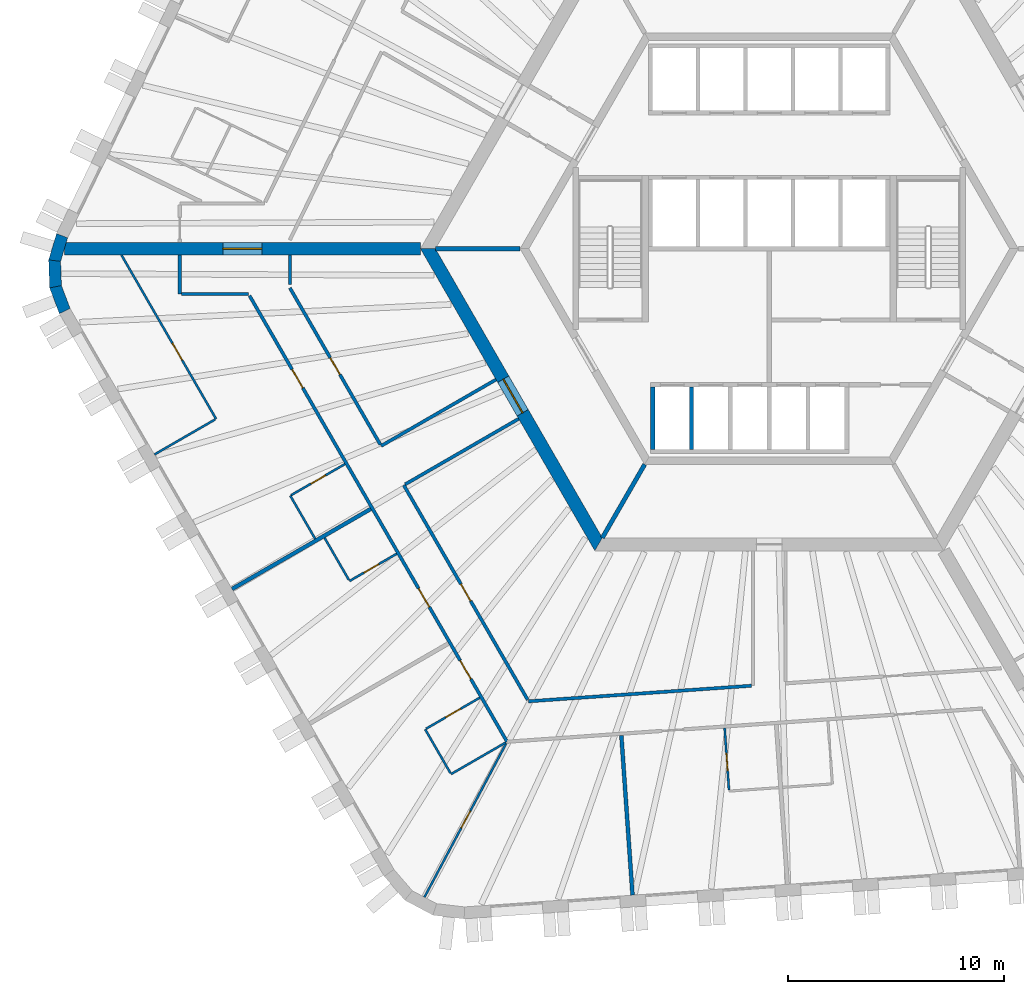
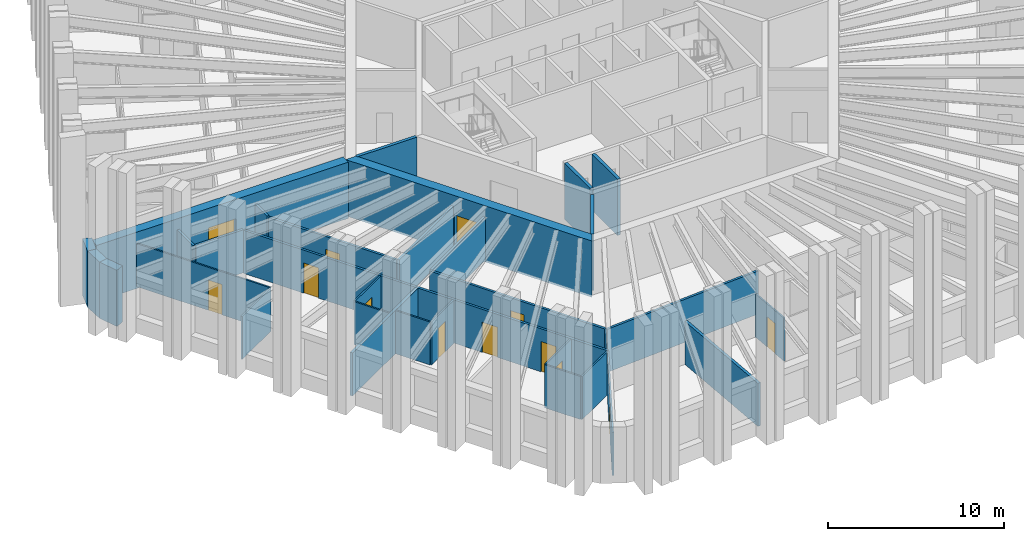
# One storey, part 3 of 13: 31 walls, 13 doors, 13 openings.
"""IFC4 building model written with IfcOpenShell, lengths in metres."""

from ifc_helpers import new_model, si_unit, direction, frame, frame_2d, origin, place, context, subcontext, project, spatial, polyline, rectangle, outline, extrude, material, layer, layer_set, type_object, element, fill, save


model = new_model("IFC4")

# Units and contexts
model_context = context("Model", 3, precision=1e-05, world=origin(), true_north=direction((0.0, 1.0)))
body_context = subcontext(model_context, "Body", "Model", "MODEL_VIEW")
ifc_project = project(units=[si_unit("LENGTHUNIT", "METRE"), si_unit("AREAUNIT", "SQUARE_METRE"), si_unit("VOLUMEUNIT", "CUBIC_METRE"), si_unit("PLANEANGLEUNIT", "RADIAN"), si_unit("MASSUNIT", "GRAM", prefix="KILO")], contexts=[model_context])

# Site, building, storey
site_placement = place(None, origin())
site = spatial("IfcSite", under=ifc_project, at=site_placement, CompositionType="ELEMENT")
building_placement = place(site_placement, origin())
building = spatial("IfcBuilding", under=site, at=building_placement, Name="Tarnside Tower", CompositionType="ELEMENT")
storey_placement = place(building_placement, frame((0.0, 0.0, 68.699951171875)))
storey = spatial("IfcBuildingStorey", under=building, at=storey_placement, Name="L14", CompositionType="ELEMENT", Elevation=68.699951171875)

# Wall
ifc_material_1 = material(Name="Gypsum board partition on steel studs", Category="steel")
ifc_layer_1 = layer(ifc_material_1, 0.10009765625)
ifc_layer_set_1 = layer_set([ifc_layer_1], Name="Bathroom wall 100")
wall_type_1 = type_object("IfcWallType", Name="Bathroom wall 100", PredefinedType="PARTITIONING", material=ifc_layer_set_1)
wall_1_placement = place(storey_placement, frame((-21.046875, -13.44580078125, 0.0), z_axis=(0.0, 0.0, 1.0), x_axis=(-0.500015210774, 0.866016621662, 0.0)))
element("IfcWall", 1, at=wall_1_placement, inside=storey, type_object=wall_type_1, Name="Bathroom wall 04105", PredefinedType="PARTITIONING", context=body_context, shape_type="SweptSolid", body=[
    extrude(rectangle(XDim=2.31005859375, YDim=0.10009765625, at=frame_2d((1.155029296875, 0.0))), origin(), (0.0, 0.0, 1.0), 2.98779296875),
])

# Wall, opening, door
wall_2_placement = place(storey_placement, frame((-22.158447265625, -11.42041015625, 0.0), z_axis=(0.0, 0.0, 1.0), x_axis=(0.866018712932, 0.500011588718, 0.0)))
wall_2 = element("IfcWall", 2, at=wall_2_placement, inside=storey, type_object=wall_type_1, Name="Bathroom wall 04106", PredefinedType="PARTITIONING", context=body_context, shape_type="SweptSolid", body=[
    extrude(rectangle(XDim=2.875, YDim=0.10009765625, at=frame_2d((1.4375, 0.0))), origin(), (0.0, 0.0, 1.0), 2.98779296875),
])
opening_1_placement = place(wall_2_placement, frame((1.050048828125, 0.0, 0.0)))
opening_1 = element("IfcOpeningElement", 3, at=opening_1_placement, cuts=wall_2, Name="Opening D-B1", PredefinedType="OPENING", context=body_context, shape_type="SweptSolid", body=[
    extrude(rectangle(XDim=0.800048828125, YDim=2.10009765625, at=frame_2d((0.39990234375, 1.050048828125))), frame((0.0, 0.06005859375, 0.0), z_axis=(0.0, -1.0, 0.0), x_axis=(1.0, 0.0, 0.0)), (0.0, 0.0, 1.0), 0.1201171875),
])
ifc_material_2 = material(Name="Timber door leaf", Category="wood")
door_type_1 = type_object("IfcDoorType", Name="Bathroom door 800", OperationType="NOTDEFINED", PredefinedType="DOOR", material=ifc_material_2)
door_1_placement = place(opening_1_placement, origin())
door_1 = element("IfcDoor", 4, at=door_1_placement, inside=storey, type_object=door_type_1, Name="Bathroom door 04016", OperationType="SINGLE_SWING_LEFT", OverallHeight=2.10009765625, OverallWidth=0.800048828125, PredefinedType="DOOR", context=body_context, shape_type="SweptSolid", body=[
    extrude(rectangle(XDim=0.800048828125, YDim=2.10009765625, at=frame_2d((0.39990234375, 1.050048828125))), frame((0.0, 0.02490234375, 0.0), z_axis=(0.0, -1.0, 0.0), x_axis=(1.0, 0.0, 0.0)), (0.0, 0.0, 1.0), 0.050048828125),
])
fill(opening_1, door_1)

wall_3_placement = place(storey_placement, frame((-17.268798828125, -14.1396484375, 0.0), z_axis=(0.0, 0.0, 1.0), x_axis=(-0.865973021571, -0.500090717682, 0.0)))
wall_3 = element("IfcWall", 5, at=wall_3_placement, inside=storey, type_object=wall_type_1, Name="Bathroom wall 04112", PredefinedType="PARTITIONING", context=body_context, shape_type="SweptSolid", body=[
    extrude(rectangle(XDim=2.52490234375, YDim=0.10009765625, at=frame_2d((1.262451171875, 0.0))), origin(), (0.0, 0.0, 1.0), 2.98779296875),
])
opening_2_placement = place(wall_3_placement, frame((0.955078125, 0.0, 0.0)))
opening_2 = element("IfcOpeningElement", 6, at=opening_2_placement, cuts=wall_3, Name="Opening D-B1", PredefinedType="OPENING", context=body_context, shape_type="SweptSolid", body=[
    extrude(rectangle(XDim=0.800048828125, YDim=2.10009765625, at=frame_2d((0.39990234375, 1.050048828125))), frame((0.0, 0.06005859375, 0.0), z_axis=(0.0, -1.0, 0.0), x_axis=(1.0, 0.0, 0.0)), (0.0, 0.0, 1.0), 0.1201171875),
])
door_2_placement = place(opening_2_placement, origin())
door_2 = element("IfcDoor", 7, at=door_2_placement, inside=storey, type_object=door_type_1, Name="Bathroom door 04019", OperationType="SINGLE_SWING_LEFT", OverallHeight=2.10009765625, OverallWidth=0.800048828125, PredefinedType="DOOR", context=body_context, shape_type="SweptSolid", body=[
    extrude(rectangle(XDim=0.800048828125, YDim=2.10009765625, at=frame_2d((0.39990234375, 1.050048828125))), frame((0.0, 0.02490234375, 0.0), z_axis=(0.0, -1.0, 0.0), x_axis=(1.0, 0.0, 0.0)), (0.0, 0.0, 1.0), 0.050048828125),
])
fill(opening_2, door_2)

# Walls
wall_4_placement = place(storey_placement, frame((-19.48046875, -15.35888671875, 0.0), z_axis=(0.0, 0.0, 1.0), x_axis=(-0.4999967785, 0.866027263711, 0.0)))
element("IfcWall", 8, at=wall_4_placement, inside=storey, type_object=wall_type_1, Name="Bathroom wall 04113", PredefinedType="PARTITIONING", context=body_context, shape_type="SweptSolid", body=[
    extrude(rectangle(XDim=2.259765625, YDim=0.10009765625, at=frame_2d((1.1298828125, 0.0))), origin(), (0.0, 0.0, 1.0), 2.98779296875),
])
wall_5_placement = place(storey_placement, frame((-12.21630859375, -22.890869140625, 0.0), z_axis=(0.0, 0.0, 1.0), x_axis=(-0.866046596414, -0.499963291492, 0.0)))
element("IfcWall", 9, at=wall_5_placement, inside=storey, type_object=wall_type_1, Name="Bathroom wall 04115", PredefinedType="PARTITIONING", context=body_context, shape_type="SweptSolid", body=[
    extrude(rectangle(XDim=2.925048828125, YDim=0.10009765625, at=frame_2d((1.46240234375, 0.0))), origin(), (0.0, 0.0, 1.0), 2.98779296875),
])
wall_6_placement = place(storey_placement, frame((-14.7744140625, -24.31005859375, 0.0), z_axis=(0.0, 0.0, 1.0), x_axis=(-0.500016218704, 0.866016039709, 0.0)))
element("IfcWall", 10, at=wall_6_placement, inside=storey, type_object=wall_type_1, Name="Bathroom wall 04116", PredefinedType="PARTITIONING", context=body_context, shape_type="SweptSolid", body=[
    extrude(rectangle(XDim=2.35009765625, YDim=0.10009765625, at=frame_2d((1.175048828125, 0.0))), origin(), (0.0, 0.0, 1.0), 2.98779296875),
])

# Wall, opening, door
wall_7_placement = place(storey_placement, frame((-15.906005859375, -22.249755859375, 0.0), z_axis=(0.0, 0.0, 1.0), x_axis=(0.866018712932, 0.500011588718, 0.0)))
wall_7 = element("IfcWall", 11, at=wall_7_placement, inside=storey, type_object=wall_type_1, Name="Bathroom wall 04117", PredefinedType="PARTITIONING", context=body_context, shape_type="SweptSolid", body=[
    extrude(rectangle(XDim=2.875, YDim=0.10009765625, at=frame_2d((1.4375, 0.0))), origin(), (0.0, 0.0, 1.0), 2.98779296875),
])
opening_3_placement = place(wall_7_placement, frame((1.050048828125, 0.0, 0.0)))
opening_3 = element("IfcOpeningElement", 12, at=opening_3_placement, cuts=wall_7, Name="Opening D-B1", PredefinedType="OPENING", context=body_context, shape_type="SweptSolid", body=[
    extrude(rectangle(XDim=0.800048828125, YDim=2.10009765625, at=frame_2d((0.39990234375, 1.050048828125))), frame((0.0, 0.06005859375, 0.0), z_axis=(0.0, -1.0, 0.0), x_axis=(1.0, 0.0, 0.0)), (0.0, 0.0, 1.0), 0.1201171875),
])
door_3_placement = place(opening_3_placement, origin())
door_3 = element("IfcDoor", 13, at=door_3_placement, inside=storey, type_object=door_type_1, Name="Bathroom door 04021", OperationType="SINGLE_SWING_LEFT", OverallHeight=2.10009765625, OverallWidth=0.800048828125, PredefinedType="DOOR", context=body_context, shape_type="SweptSolid", body=[
    extrude(rectangle(XDim=0.800048828125, YDim=2.10009765625, at=frame_2d((0.39990234375, 1.050048828125))), frame((0.0, 0.02490234375, 0.0), z_axis=(0.0, -1.0, 0.0), x_axis=(1.0, 0.0, 0.0)), (0.0, 0.0, 1.0), 0.050048828125),
])
fill(opening_3, door_3)

wall_8_placement = place(storey_placement, frame((-1.865478515625, -25.09130859375, 0.0), z_axis=(0.0, 0.0, 1.0), x_axis=(-0.069714207611, 0.997567004896, 0.0)))
wall_8 = element("IfcWall", 14, at=wall_8_placement, inside=storey, type_object=wall_type_1, Name="Bathroom wall 04121", PredefinedType="PARTITIONING", context=body_context, shape_type="SweptSolid", body=[
    extrude(rectangle(XDim=2.875244140625, YDim=0.10009765625, at=frame_2d((1.4375, 0.0))), origin(), (0.0, 0.0, 1.0), 2.98779296875),
])
opening_4_placement = place(wall_8_placement, frame((0.89990234375, 0.0, 0.0)))
opening_4 = element("IfcOpeningElement", 15, at=opening_4_placement, cuts=wall_8, Name="Opening D-B1", PredefinedType="OPENING", context=body_context, shape_type="SweptSolid", body=[
    extrude(rectangle(XDim=0.800048828125, YDim=2.10009765625, at=frame_2d((0.39990234375, 1.050048828125))), frame((0.0, 0.06005859375, 0.0), z_axis=(0.0, -1.0, 0.0), x_axis=(1.0, 0.0, 0.0)), (0.0, 0.0, 1.0), 0.1201171875),
])
door_4_placement = place(opening_4_placement, origin())
door_4 = element("IfcDoor", 16, at=door_4_placement, inside=storey, type_object=door_type_1, Name="Bathroom door 04024", OperationType="SINGLE_SWING_RIGHT", OverallHeight=2.10009765625, OverallWidth=0.800048828125, PredefinedType="DOOR", context=body_context, shape_type="SweptSolid", body=[
    extrude(rectangle(XDim=0.800048828125, YDim=2.10009765625, at=frame_2d((0.39990234375, 1.050048828125))), frame((0.0, 0.02490234375, 0.0), z_axis=(0.0, -1.0, 0.0), x_axis=(1.0, 0.0, 0.0)), (0.0, 0.0, 1.0), 0.050048828125),
])
fill(opening_4, door_4)

ifc_material_3 = material(Name="Concrete C80/95", Category="concrete")
ifc_layer_2 = layer(ifc_material_3, 0.60009765625)
ifc_layer_set_2 = layer_set([ifc_layer_2], Name="Core wall Z1 600 C80/95")
wall_type_2 = type_object("IfcWallType", Name="Core wall Z1 600 C80/95", PredefinedType="SHEAR", material=ifc_layer_set_2)
wall_9_placement = place(storey_placement, frame((-15.8193359375, 0.0, -0.14990234375), z_axis=(0.0, 0.0, 1.0), x_axis=(0.499999880136, -0.866025472988, 0.0)))
wall_9 = element("IfcWall", 17, at=wall_9_placement, inside=storey, type_object=wall_type_2, Name="L14 core wall face 3", PredefinedType="SHEAR", context=body_context, shape_type="SweptSolid", body=[
    extrude(outline(polyline([(-0.17333984375, -0.300048828125), (15.99267578125, -0.300048828125), (15.64599609375, 0.300048828125), (0.17333984375, 0.300048828125), (-0.17333984375, -0.300048828125)])), origin(), (0.0, 0.0, 1.0), 3.89990234375),
])
opening_5_placement = place(wall_9_placement, frame((6.980712890625, 0.0, 0.14990234375)))
opening_5 = element("IfcOpeningElement", 18, at=opening_5_placement, cuts=wall_9, Name="Opening CD-FFL", PredefinedType="OPENING", context=body_context, shape_type="SweptSolid", body=[
    extrude(rectangle(XDim=1.800048828125, YDim=2.39990234375, at=frame_2d((0.89990234375, 1.199951171875))), frame((0.0, 0.31005859375, 0.0), z_axis=(0.0, -1.0, 0.0), x_axis=(1.0, 0.0, 0.0)), (0.0, 0.0, 1.0), 0.6201171875),
])
ifc_material_4 = material(Name="Steel fire door", Category="steel")
door_type_2 = type_object("IfcDoorType", Name="Firefighting lobby double door FD60S 1800x2400", OperationType="NOTDEFINED", PredefinedType="DOOR", material=ifc_material_4)
door_5_placement = place(opening_5_placement, origin())
door_5 = element("IfcDoor", 19, at=door_5_placement, inside=storey, type_object=door_type_2, Name="L14 core door P3", OperationType="DOUBLE_DOOR_SINGLE_SWING", OverallHeight=2.39990234375, OverallWidth=1.800048828125, PredefinedType="DOOR", context=body_context, shape_type="SweptSolid", body=[
    extrude(rectangle(XDim=1.800048828125, YDim=2.39990234375, at=frame_2d((0.89990234375, 1.199951171875))), frame((0.0, 0.02490234375, 0.0), z_axis=(0.0, -1.0, 0.0), x_axis=(1.0, 0.0, 0.0)), (0.0, 0.0, 1.0), 0.050048828125),
])
fill(opening_5, door_5)

wall_10_placement = place(storey_placement, frame((-16.165771484375, 0.0, -0.14990234375), z_axis=(0.0, 0.0, 1.0), x_axis=(-1.0, 0.0, 0.0)))
wall_10 = element("IfcWall", 20, at=wall_10_placement, inside=storey, type_object=wall_type_2, Name="L14 spine wall 2", PredefinedType="SHEAR", context=body_context, shape_type="SweptSolid", body=[
    extrude(rectangle(XDim=16.509033203125, YDim=0.60009765625, at=frame_2d((8.25439453125, 0.0))), origin(), (0.0, 0.0, 1.0), 3.89990234375),
])
opening_6_placement = place(wall_10_placement, frame((7.3544921875, 0.0, 0.14990234375)))
opening_6 = element("IfcOpeningElement", 21, at=opening_6_placement, cuts=wall_10, Name="Opening CD-SPN", PredefinedType="OPENING", context=body_context, shape_type="SweptSolid", body=[
    extrude(rectangle(XDim=1.800048828125, YDim=2.39990234375, at=frame_2d((0.89990234375, 1.199951171875))), frame((0.0, 0.31005859375, 0.0), z_axis=(0.0, -1.0, 0.0), x_axis=(1.0, 0.0, 0.0)), (0.0, 0.0, 1.0), 0.6201171875),
])
door_type_3 = type_object("IfcDoorType", Name="Spine passage double door FD60 1800x2400", OperationType="NOTDEFINED", PredefinedType="DOOR", material=ifc_material_4)
door_6_placement = place(opening_6_placement, origin())
door_6 = element("IfcDoor", 22, at=door_6_placement, inside=storey, type_object=door_type_3, Name="L14 spine passage door 2", OperationType="DOUBLE_DOOR_SINGLE_SWING", OverallHeight=2.39990234375, OverallWidth=1.800048828125, PredefinedType="DOOR", context=body_context, shape_type="SweptSolid", body=[
    extrude(rectangle(XDim=1.800048828125, YDim=2.39990234375, at=frame_2d((0.89990234375, 1.199951171875))), frame((0.0, 0.02490234375, 0.0), z_axis=(0.0, -1.0, 0.0), x_axis=(1.0, 0.0, 0.0)), (0.0, 0.0, 1.0), 0.050048828125),
])
fill(opening_6, door_6)

# Walls
ifc_layer_3 = layer(ifc_material_1, 0.14990234375)
ifc_layer_set_3 = layer_set([ifc_layer_3], Name="Corridor wall 150 EI 60")
wall_type_3 = type_object("IfcWallType", Name="Corridor wall 150 EI 60", PredefinedType="PARTITIONING", material=ifc_layer_set_3)
wall_11_placement = place(storey_placement, frame((-27.3203125, -0.300048828125, 0.0), z_axis=(0.0, 0.0, 1.0), x_axis=(0.0, -1.0, 0.0)))
element("IfcWall", 23, at=wall_11_placement, inside=storey, type_object=wall_type_3, Name="Corridor wall 04025", PredefinedType="PARTITIONING", context=body_context, shape_type="SweptSolid", body=[
    extrude(rectangle(XDim=1.800048828125, YDim=0.14990234375, at=frame_2d((0.89990234375, 0.0))), origin(), (0.0, 0.0, 1.0), 2.98779296875),
])
wall_12_placement = place(storey_placement, frame((-27.245361328125, -2.10009765625, 0.0), z_axis=(0.0, 0.0, 1.0), x_axis=(1.0, 0.0, 0.0)))
element("IfcWall", 24, at=wall_12_placement, inside=storey, type_object=wall_type_3, Name="Corridor wall 04026", PredefinedType="PARTITIONING", context=body_context, shape_type="SweptSolid", body=[
    extrude(rectangle(XDim=3.112060546875, YDim=0.14990234375, at=frame_2d((1.55615234375, 0.0))), origin(), (0.0, 0.0, 1.0), 2.98779296875),
])

# Wall, openings, doors
wall_13_placement = place(storey_placement, frame((-24.08984375, -2.175048828125, 0.0), z_axis=(0.0, 0.0, 1.0), x_axis=(0.499996832073, -0.86602723278, 0.0)))
wall_13 = element("IfcWall", 25, at=wall_13_placement, inside=storey, type_object=wall_type_3, Name="Corridor wall 04027", PredefinedType="PARTITIONING", context=body_context, shape_type="SweptSolid", body=[
    extrude(rectangle(XDim=23.877197265625, YDim=0.14990234375, at=frame_2d((11.9384765625, 0.0))), origin(), (0.0, 0.0, 1.0), 2.98779296875),
])
opening_7_placement = place(wall_13_placement, frame((3.94287109375, 0.0, 0.0)))
opening_7 = element("IfcOpeningElement", 26, at=opening_7_placement, cuts=wall_13, Name="Opening D-E1", PredefinedType="OPENING", context=body_context, shape_type="SweptSolid", body=[
    extrude(rectangle(XDim=1.0, YDim=2.10009765625, at=frame_2d((0.5, 1.050048828125))), frame((0.0, 0.0849609375, 0.0), z_axis=(0.0, -1.0, 0.0), x_axis=(1.0, 0.0, 0.0)), (0.0, 0.0, 1.0), 0.169921875),
])
opening_8_placement = place(wall_13_placement, frame((15.67236328125, 0.0, 0.0)))
opening_8 = element("IfcOpeningElement", 27, at=opening_8_placement, cuts=wall_13, Name="Opening D-E1", PredefinedType="OPENING", context=body_context, shape_type="SweptSolid", body=[
    extrude(rectangle(XDim=1.0, YDim=2.10009765625, at=frame_2d((0.5, 1.050048828125))), frame((0.0, 0.0849609375, 0.0), z_axis=(0.0, -1.0, 0.0), x_axis=(1.0, 0.0, 0.0)), (0.0, 0.0, 1.0), 0.169921875),
])
opening_9_placement = place(wall_13_placement, frame((19.52490234375, 0.0, 0.0)))
opening_9 = element("IfcOpeningElement", 28, at=opening_9_placement, cuts=wall_13, Name="Opening D-E1", PredefinedType="OPENING", context=body_context, shape_type="SweptSolid", body=[
    extrude(rectangle(XDim=1.0, YDim=2.10009765625, at=frame_2d((0.5, 1.050048828125))), frame((0.0, 0.0849609375, 0.0), z_axis=(0.0, -1.0, 0.0), x_axis=(1.0, 0.0, 0.0)), (0.0, 0.0, 1.0), 0.169921875),
])
door_type_4 = type_object("IfcDoorType", Name="Unit entrance door 1000 FD30S", OperationType="NOTDEFINED", PredefinedType="DOOR", material=ifc_material_2)
door_7_placement = place(opening_7_placement, origin())
door_7 = element("IfcDoor", 29, at=door_7_placement, inside=storey, type_object=door_type_4, Name="Unit door 04015", OperationType="SINGLE_SWING_RIGHT", OverallHeight=2.10009765625, OverallWidth=1.0, PredefinedType="DOOR", context=body_context, shape_type="SweptSolid", body=[
    extrude(rectangle(XDim=1.0, YDim=2.10009765625, at=frame_2d((0.5, 1.050048828125))), frame((0.0, 0.02490234375, 0.0), z_axis=(0.0, -1.0, 0.0), x_axis=(1.0, 0.0, 0.0)), (0.0, 0.0, 1.0), 0.050048828125),
])
fill(opening_7, door_7)
door_8_placement = place(opening_8_placement, origin())
door_8 = element("IfcDoor", 30, at=door_8_placement, inside=storey, type_object=door_type_4, Name="Unit door 04018", OperationType="SINGLE_SWING_RIGHT", OverallHeight=2.10009765625, OverallWidth=1.0, PredefinedType="DOOR", context=body_context, shape_type="SweptSolid", body=[
    extrude(rectangle(XDim=1.0, YDim=2.10009765625, at=frame_2d((0.5, 1.050048828125))), frame((0.0, 0.02490234375, 0.0), z_axis=(0.0, -1.0, 0.0), x_axis=(1.0, 0.0, 0.0)), (0.0, 0.0, 1.0), 0.050048828125),
])
fill(opening_8, door_8)
door_9_placement = place(opening_9_placement, origin())
door_9 = element("IfcDoor", 31, at=door_9_placement, inside=storey, type_object=door_type_4, Name="Unit door 04020", OperationType="SINGLE_SWING_RIGHT", OverallHeight=2.10009765625, OverallWidth=1.0, PredefinedType="DOOR", context=body_context, shape_type="SweptSolid", body=[
    extrude(rectangle(XDim=1.0, YDim=2.10009765625, at=frame_2d((0.5, 1.050048828125))), frame((0.0, 0.02490234375, 0.0), z_axis=(0.0, -1.0, 0.0), x_axis=(1.0, 0.0, 0.0)), (0.0, 0.0, 1.0), 0.050048828125),
])
fill(opening_9, door_9)

# Wall
wall_14_placement = place(storey_placement, frame((-12.663818359375, -6.065673828125, 0.0), z_axis=(0.0, 0.0, 1.0), x_axis=(-0.866023618125, -0.500003092839, 0.0)))
element("IfcWall", 32, at=wall_14_placement, inside=storey, type_object=wall_type_3, Name="Corridor wall 04041", PredefinedType="PARTITIONING", context=body_context, shape_type="SweptSolid", body=[
    extrude(rectangle(XDim=6.14990234375, YDim=0.14990234375, at=frame_2d((3.074951171875, 0.0))), origin(), (0.0, 0.0, 1.0), 2.98779296875),
])

# Wall, opening, door
wall_15_placement = place(storey_placement, frame((-18.02734375, -9.07568359375, 0.0), z_axis=(0.0, 0.0, 1.0), x_axis=(-0.500007318041, 0.86602117867, 0.0)))
wall_15 = element("IfcWall", 33, at=wall_15_placement, inside=storey, type_object=wall_type_3, Name="Corridor wall 04042", PredefinedType="PARTITIONING", context=body_context, shape_type="SweptSolid", body=[
    extrude(rectangle(XDim=8.383056640625, YDim=0.14990234375, at=frame_2d((4.19140625, 0.0))), origin(), (0.0, 0.0, 1.0), 2.98779296875),
])
opening_10_placement = place(wall_15_placement, frame((3.74169921875, 0.0, 0.0)))
opening_10 = element("IfcOpeningElement", 34, at=opening_10_placement, cuts=wall_15, Name="Opening D-S1", PredefinedType="OPENING", context=body_context, shape_type="SweptSolid", body=[
    extrude(rectangle(XDim=0.89990234375, YDim=2.10009765625, at=frame_2d((0.449951171875, 1.050048828125))), frame((0.0, 0.0849609375, 0.0), z_axis=(0.0, -1.0, 0.0), x_axis=(1.0, 0.0, 0.0)), (0.0, 0.0, 1.0), 0.169921875),
])
door_type_5 = type_object("IfcDoorType", Name="Service room door 900 FD30S", OperationType="NOTDEFINED", PredefinedType="DOOR", material=ifc_material_2)
door_10_placement = place(opening_10_placement, origin())
door_10 = element("IfcDoor", 35, at=door_10_placement, inside=storey, type_object=door_type_5, Name="Service door 04044", OperationType="SINGLE_SWING_RIGHT", OverallHeight=2.10009765625, OverallWidth=0.89990234375, PredefinedType="DOOR", context=body_context, shape_type="SweptSolid", body=[
    extrude(rectangle(XDim=0.89990234375, YDim=2.10009765625, at=frame_2d((0.449951171875, 1.050048828125))), frame((0.0, 0.02490234375, 0.0), z_axis=(0.0, -1.0, 0.0), x_axis=(1.0, 0.0, 0.0)), (0.0, 0.0, 1.0), 0.050048828125),
])
fill(opening_10, door_10)

# Walls
wall_16_placement = place(storey_placement, frame((-22.218994140625, -1.665771484375, 0.0), z_axis=(0.0, 0.0, 1.0), x_axis=(0.0, 1.0, 0.0)))
element("IfcWall", 36, at=wall_16_placement, inside=storey, type_object=wall_type_3, Name="Corridor wall 04043", PredefinedType="PARTITIONING", context=body_context, shape_type="SweptSolid", body=[
    extrude(rectangle(XDim=1.36572265625, YDim=0.14990234375, at=frame_2d((0.682861328125, 0.0))), origin(), (0.0, 0.0, 1.0), 2.98779296875),
])
wall_17_placement = place(storey_placement, frame((-0.824951171875, -20.2568359375, 0.0), z_axis=(0.0, 0.0, 1.0), x_axis=(-0.9975635143, -0.069764137903, 0.0)))
element("IfcWall", 37, at=wall_17_placement, inside=storey, type_object=wall_type_3, Name="Corridor wall 04045", PredefinedType="PARTITIONING", context=body_context, shape_type="SweptSolid", body=[
    extrude(rectangle(XDim=10.35498046875, YDim=0.14990234375, at=frame_2d((5.177490234375, 0.0))), origin(), (0.0, 0.0, 1.0), 2.98779296875),
])

# Wall, opening, door
wall_18_placement = place(storey_placement, frame((-11.196533203125, -20.906982421875, 0.0), z_axis=(0.0, 0.0, 1.0), x_axis=(-0.500004557924, 0.86602277225, 0.0)))
wall_18 = element("IfcWall", 38, at=wall_18_placement, inside=storey, type_object=wall_type_3, Name="Corridor wall 04046", PredefinedType="PARTITIONING", context=body_context, shape_type="SweptSolid", body=[
    extrude(rectangle(XDim=11.48681640625, YDim=0.14990234375, at=frame_2d((5.743408203125, 0.0))), origin(), (0.0, 0.0, 1.0), 2.98779296875),
])
opening_11_placement = place(wall_18_placement, frame((5.293212890625, 0.0, 0.0)))
opening_11 = element("IfcOpeningElement", 39, at=opening_11_placement, cuts=wall_18, Name="Opening D-S1", PredefinedType="OPENING", context=body_context, shape_type="SweptSolid", body=[
    extrude(rectangle(XDim=0.89990234375, YDim=2.10009765625, at=frame_2d((0.449951171875, 1.050048828125))), frame((0.0, 0.0849609375, 0.0), z_axis=(0.0, -1.0, 0.0), x_axis=(1.0, 0.0, 0.0)), (0.0, 0.0, 1.0), 0.169921875),
])
door_11_placement = place(opening_11_placement, origin())
door_11 = element("IfcDoor", 40, at=door_11_placement, inside=storey, type_object=door_type_5, Name="Service door 04045", OperationType="SINGLE_SWING_RIGHT", OverallHeight=2.10009765625, OverallWidth=0.89990234375, PredefinedType="DOOR", context=body_context, shape_type="SweptSolid", body=[
    extrude(rectangle(XDim=0.89990234375, YDim=2.10009765625, at=frame_2d((0.449951171875, 1.050048828125))), frame((0.0, 0.02490234375, 0.0), z_axis=(0.0, -1.0, 0.0), x_axis=(1.0, 0.0, 0.0)), (0.0, 0.0, 1.0), 0.050048828125),
])
fill(opening_11, door_11)

# Walls
wall_19_placement = place(storey_placement, frame((-16.875, -10.921875, 0.0), z_axis=(0.0, 0.0, 1.0), x_axis=(0.866023634079, 0.500003065207, 0.0)))
element("IfcWall", 41, at=wall_19_placement, inside=storey, type_object=wall_type_3, Name="Corridor wall 04047", PredefinedType="PARTITIONING", context=body_context, shape_type="SweptSolid", body=[
    extrude(rectangle(XDim=6.0751953125, YDim=0.14990234375, at=frame_2d((3.03759765625, 0.0))), origin(), (0.0, 0.0, 1.0), 2.98779296875),
])
ifc_layer_4 = layer(ifc_material_1, 0.179931640625)
ifc_layer_set_4 = layer_set([ifc_layer_4], Name="Demising wall 180 EI 60")
wall_type_4 = type_object("IfcWallType", Name="Demising wall 180 EI 60", PredefinedType="PARTITIONING", material=ifc_layer_set_4)
wall_20_placement = place(storey_placement, frame((-24.89892578125, -15.773681640625, 0.0), z_axis=(0.0, 0.0, 1.0), x_axis=(0.866028983062, 0.499993800457, 0.0)))
element("IfcWall", 42, at=wall_20_placement, inside=storey, type_object=wall_type_4, Name="Demising wall 04109", PredefinedType="PARTITIONING", context=body_context, shape_type="SweptSolid", body=[
    extrude(rectangle(XDim=7.4248046875, YDim=0.179931640625, at=frame_2d((3.71240234375, 0.0))), origin(), (0.0, 0.0, 1.0), 2.98779296875),
])
wall_21_placement = place(storey_placement, frame((-6.336181640625, -29.965087890625, 0.0), z_axis=(0.0, 0.0, 1.0), x_axis=(-0.06977252161, 0.997562927954, 0.0)))
element("IfcWall", 43, at=wall_21_placement, inside=storey, type_object=wall_type_4, Name="Demising wall 04119", PredefinedType="PARTITIONING", context=body_context, shape_type="SweptSolid", body=[
    extrude(rectangle(XDim=7.425048828125, YDim=0.179931640625, at=frame_2d((3.71240234375, 0.0))), origin(), (0.0, 0.0, 1.0), 2.98779296875),
])
ifc_material_5 = material(Name="Concrete C40/50", Category="concrete")
ifc_layer_5 = layer(ifc_material_5, 0.199951171875)
ifc_layer_set_5 = layer_set([ifc_layer_5], Name="Lift shaft wall 200 C40/50")
wall_type_5 = type_object("IfcWallType", Name="Lift shaft wall 200 C40/50", PredefinedType="SHEAR", material=ifc_layer_set_5)
for number, where, z_axis, x_axis, name in (
    (44, (-5.39990234375, -9.300048828125, -0.25), (0.0, 0.0, 1.0), (0.0, 1.0, 0.0), "L14 lift shaft partition R41"),
    (45, (-3.60009765625, -9.300048828125, -0.25), (0.0, 0.0, 1.0), (0.0, 1.0, 0.0), "L14 lift shaft partition R42"),
):
    element("IfcWall", number, at=place(storey_placement, frame(where, z_axis=z_axis, x_axis=x_axis)), inside=storey, type_object=wall_type_5, Name=name, PredefinedType="SHEAR", context=body_context, shape_type="SweptSolid", body=[
        extrude(rectangle(XDim=2.900146484375, YDim=0.199951171875, at=frame_2d((1.4501953125, 0.0))), origin(), (0.0, 0.0, 1.0), 3.900146484375),
    ])
wall_22_placement = place(storey_placement, frame((-11.547119140625, 0.0, -0.14990234375), z_axis=(0.0, 0.0, 1.0), x_axis=(-1.0, 0.0, 0.0)))
element("IfcWall", 46, at=wall_22_placement, inside=storey, type_object=wall_type_5, Name="L14 core partition AR180", PredefinedType="SHEAR", context=body_context, shape_type="SweptSolid", body=[
    extrude(rectangle(XDim=3.92578125, YDim=0.199951171875, at=frame_2d((1.962890625, 0.0))), origin(), (0.0, 0.0, 1.0), 3.89990234375),
])
wall_23_placement = place(storey_placement, frame((-5.7734375, -10.0, -0.14990234375), z_axis=(0.0, 0.0, 1.0), x_axis=(-0.500038251005, -0.86600331843, 0.0)))
element("IfcWall", 47, at=wall_23_placement, inside=storey, type_object=wall_type_5, Name="L14 core partition AR240", PredefinedType="SHEAR", context=body_context, shape_type="SweptSolid", body=[
    extrude(rectangle(XDim=3.926025390625, YDim=0.199951171875, at=frame_2d((1.962890625, 0.0))), origin(), (0.0, 0.0, 1.0), 3.89990234375),
])

# Wall, opening, door
ifc_layer_6 = layer(ifc_material_1, 0.10009765625)
ifc_layer_set_6 = layer_set([ifc_layer_6], Name="Partition 100")
wall_type_6 = type_object("IfcWallType", Name="Partition 100", PredefinedType="PARTITIONING", material=ifc_layer_set_6)
wall_24_placement = place(storey_placement, frame((-30.022216796875, -0.300048828125, 0.0), z_axis=(0.0, 0.0, 1.0), x_axis=(0.499995798296, -0.866027829626, 0.0)))
wall_24 = element("IfcWall", 48, at=wall_24_placement, inside=storey, type_object=wall_type_6, Name="Partition wall 04107", PredefinedType="PARTITIONING", context=body_context, shape_type="SweptSolid", body=[
    extrude(rectangle(XDim=8.76220703125, YDim=0.10009765625, at=frame_2d((4.381103515625, 0.0))), origin(), (0.0, 0.0, 1.0), 2.98779296875),
])
opening_12_placement = place(wall_24_placement, frame((4.71240234375, 0.0, 0.0)))
opening_12 = element("IfcOpeningElement", 49, at=opening_12_placement, cuts=wall_24, Name="Opening D-I1", PredefinedType="OPENING", context=body_context, shape_type="SweptSolid", body=[
    extrude(rectangle(XDim=0.89990234375, YDim=2.10009765625, at=frame_2d((0.449951171875, 1.050048828125))), frame((0.0, 0.06005859375, 0.0), z_axis=(0.0, -1.0, 0.0), x_axis=(1.0, 0.0, 0.0)), (0.0, 0.0, 1.0), 0.1201171875),
])
door_type_6 = type_object("IfcDoorType", Name="Internal door 900", OperationType="NOTDEFINED", PredefinedType="DOOR", material=ifc_material_2)
door_12_placement = place(opening_12_placement, origin())
door_12 = element("IfcDoor", 50, at=door_12_placement, inside=storey, type_object=door_type_6, Name="Internal door 04017", OperationType="SINGLE_SWING_LEFT", OverallHeight=2.10009765625, OverallWidth=0.89990234375, PredefinedType="DOOR", context=body_context, shape_type="SweptSolid", body=[
    extrude(rectangle(XDim=0.89990234375, YDim=2.10009765625, at=frame_2d((0.449951171875, 1.050048828125))), frame((0.0, 0.02490234375, 0.0), z_axis=(0.0, -1.0, 0.0), x_axis=(1.0, 0.0, 0.0)), (0.0, 0.0, 1.0), 0.050048828125),
])
fill(opening_12, door_12)

# Wall
wall_25_placement = place(storey_placement, frame((-25.684326171875, -7.913330078125, 0.0), z_axis=(0.0, 0.0, 1.0), x_axis=(-0.866034226713, -0.499984717929, 0.0)))
element("IfcWall", 51, at=wall_25_placement, inside=storey, type_object=wall_type_6, Name="Partition wall 04108", PredefinedType="PARTITIONING", context=body_context, shape_type="SweptSolid", body=[
    extrude(rectangle(XDim=3.25, YDim=0.10009765625, at=frame_2d((1.625, 0.0))), origin(), (0.0, 0.0, 1.0), 2.98779296875),
])

# Wall, opening, door
wall_26_placement = place(storey_placement, frame((-15.98291015625, -30.059326171875, 0.0), z_axis=(0.0, 0.0, 1.0), x_axis=(0.469476547643, 0.882944942346, 0.0)))
wall_26 = element("IfcWall", 52, at=wall_26_placement, inside=storey, type_object=wall_type_6, Name="Partition wall 04118", PredefinedType="PARTITIONING", context=body_context, shape_type="SweptSolid", body=[
    extrude(rectangle(XDim=8.072998046875, YDim=0.10009765625, at=frame_2d((4.03662109375, 0.0))), origin(), (0.0, 0.0, 1.0), 2.98779296875),
])
opening_13_placement = place(wall_26_placement, frame((3.630615234375, 0.0, 0.0)))
opening_13 = element("IfcOpeningElement", 53, at=opening_13_placement, cuts=wall_26, Name="Opening D-I1", PredefinedType="OPENING", context=body_context, shape_type="SweptSolid", body=[
    extrude(rectangle(XDim=0.89990234375, YDim=2.10009765625, at=frame_2d((0.449951171875, 1.050048828125))), frame((0.0, 0.06005859375, 0.0), z_axis=(0.0, -1.0, 0.0), x_axis=(1.0, 0.0, 0.0)), (0.0, 0.0, 1.0), 0.1201171875),
])
door_13_placement = place(opening_13_placement, origin())
door_13 = element("IfcDoor", 54, at=door_13_placement, inside=storey, type_object=door_type_6, Name="Internal door 04022", OperationType="SINGLE_SWING_LEFT", OverallHeight=2.10009765625, OverallWidth=0.89990234375, PredefinedType="DOOR", context=body_context, shape_type="SweptSolid", body=[
    extrude(rectangle(XDim=0.89990234375, YDim=2.10009765625, at=frame_2d((0.449951171875, 1.050048828125))), frame((0.0, 0.02490234375, 0.0), z_axis=(0.0, -1.0, 0.0), x_axis=(1.0, 0.0, 0.0)), (0.0, 0.0, 1.0), 0.050048828125),
])
fill(opening_13, door_13)

# Walls
ifc_material_6 = material(Name="Facing brick", Category="masonry")
ifc_layer_7 = layer(ifc_material_6, 0.10205078125)
ifc_material_7 = material(Name="Concrete C60/75 precast", Category="concrete")
ifc_layer_8 = layer(ifc_material_7, 0.347900390625)
ifc_material_8 = material(Name="Mineral wool insulation")
ifc_layer_9 = layer(ifc_material_8, 0.10009765625)
ifc_layer_set_7 = layer_set([ifc_layer_7, ifc_layer_8, ifc_layer_9], Name="Tube wall 550 brick faced")
wall_type_7 = type_object("IfcWallType", Name="Tube wall 550 brick faced", PredefinedType="SOLIDWALL", material=ifc_layer_set_7)
wall_27_placement = place(storey_placement, frame((-32.77685546875, 0.605224609375, -0.14990234375), z_axis=(0.0, 0.0, 1.0), x_axis=(-0.286921497463, -0.957954098219, 0.0)))
element("IfcWall", 55, at=wall_27_placement, inside=storey, type_object=wall_type_7, Name="Tube wall L14 F2 chord 05", PredefinedType="SOLIDWALL", context=body_context, shape_type="SweptSolid", body=[
    extrude(outline(polyline([(-0.0224609375, -0.27490234375), (1.25341796875, -0.27490234375), (1.1630859375, 0.27490234375), (0.0224609375, 0.27490234375), (-0.0224609375, -0.27490234375)])), origin(), (0.0, 0.0, 1.0), 3.89990234375),
])
wall_28_placement = place(storey_placement, frame((-33.12353515625, -0.55224609375, -0.14990234375), z_axis=(0.0, 0.0, 1.0), x_axis=(0.03495638276, -0.999388838893, 0.0)))
element("IfcWall", 56, at=wall_28_placement, inside=storey, type_object=wall_type_7, Name="Tube wall L14 F2 chord 06", PredefinedType="SOLIDWALL", context=body_context, shape_type="SweptSolid", body=[
    extrude(outline(polyline([(-0.045166015625, -0.27490234375), (1.25341796875, -0.27490234375), (1.1630859375, 0.27490234375), (0.045166015625, 0.27490234375), (-0.045166015625, -0.27490234375)])), origin(), (0.0, 0.0, 1.0), 3.89990234375),
])
wall_29_placement = place(storey_placement, frame((-33.081298828125, -1.759765625, -0.14990234375), z_axis=(0.0, 0.0, 1.0), x_axis=(0.353027214741, -0.935613053378, 0.0)))
element("IfcWall", 57, at=wall_29_placement, inside=storey, type_object=wall_type_7, Name="Tube wall L14 F2 chord 07", PredefinedType="SOLIDWALL", context=body_context, shape_type="SweptSolid", body=[
    extrude(outline(polyline([(-0.045166015625, -0.27490234375), (1.230712890625, -0.27490234375), (1.185791015625, 0.27490234375), (0.045166015625, 0.27490234375), (-0.045166015625, -0.27490234375)])), origin(), (0.0, 0.0, 1.0), 3.89990234375),
])

save(model, "model.ifc")
